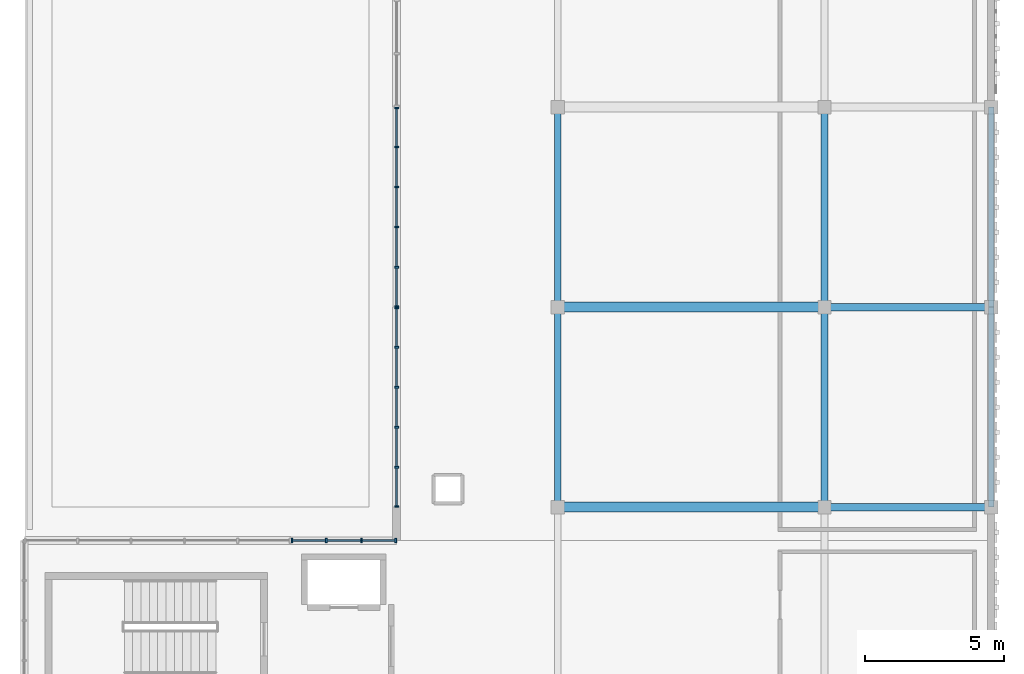
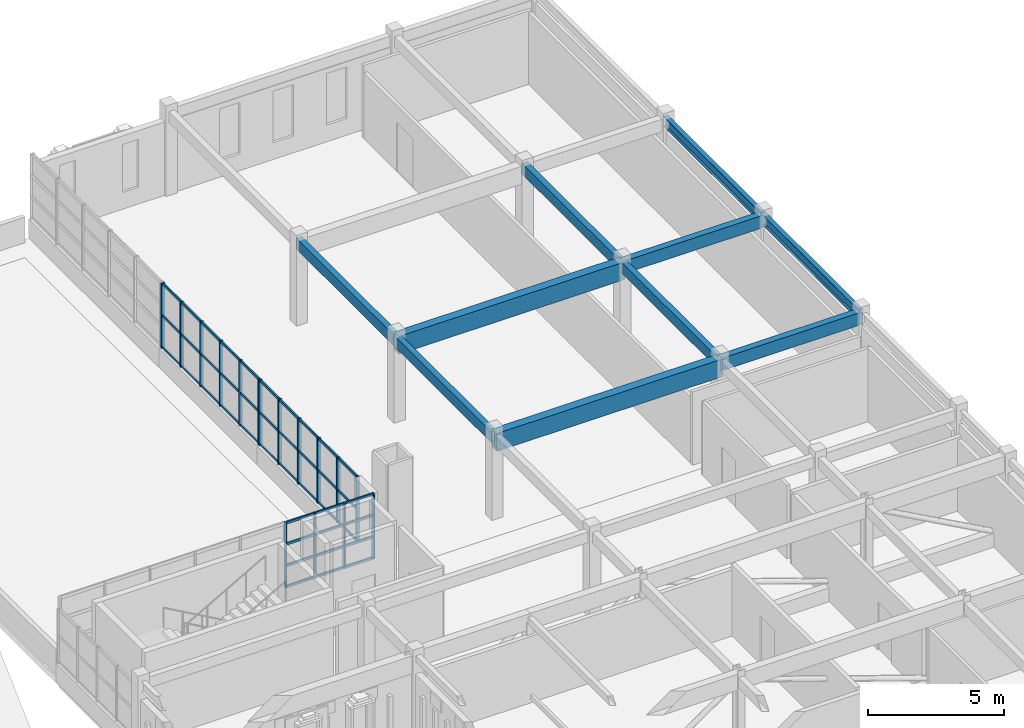
# One storey, part 30 of 79: 58 members, 10 beams, 3 elements without a shape of their own.
"""IFC4 building model written with IfcOpenShell, lengths in metres."""

import ifcopenshell
import ifcopenshell.guid

model = None  # the IFC model being written
_history = None  # IfcOwnerHistory: only IFC2X3 demands one
_inside = {}  # id of a spatial element -> (the spatial element, [elements in it])
_under = {}  # id of a project, library or spatial element -> (it, [spatial elements below it])
_declared = {}  # id of a project -> (the project, [libraries it declares])
_typed = {}  # id of a type object -> (the type object, [elements of that type])
_made_of = {}  # id of a material, layer set ... -> (it, [elements and type objects made of it])


def new_model(schema):
    """Start an empty IFC model of exactly this schema.

    Asked for "IFC4X3", IfcOpenShell would pick the latest addendum, in which some entities
    have other attributes; the version numbers below select the first issue.
    IFC2X3 requires an IfcOwnerHistory on every rooted entity: one is made here for all.
    """
    global model, _history
    if schema == "IFC4X3":
        model = ifcopenshell.file(schema_version=(4, 3, 0, 0))
    else:
        model = ifcopenshell.file(schema=schema)
    _inside.clear()
    _under.clear()
    _declared.clear()
    _typed.clear()
    _made_of.clear()
    _history = None
    if model.schema == "IFC2X3":
        org = make("IfcOrganization", Name="unknown")
        user = make(
            "IfcPersonAndOrganization",
            ThePerson=make("IfcPerson", FamilyName="unknown"),
            TheOrganization=org,
        )
        app = make(
            "IfcApplication",
            ApplicationDeveloper=org,
            Version="unknown",
            ApplicationFullName="unknown",
            ApplicationIdentifier="unknown",
        )
        _history = make(
            "IfcOwnerHistory",
            OwningUser=user,
            OwningApplication=app,
            ChangeAction="ADDED",
            CreationDate=0,
        )
    return model


def make(cls, **values):
    """One entity of the class cls with the attributes given. An attribute that is None is left unset."""
    return model.create_entity(
        cls, **{name: value for name, value in values.items() if value is not None}
    )


def rooted(cls, **values):
    """An entity with a GlobalId (a new one), such as an element, a storey or a relation."""
    return make(cls, GlobalId=ifcopenshell.guid.new(), OwnerHistory=_history, **values)


def si_unit(unit_type, name, prefix=None):
    """IfcSIUnit, for example si_unit("LENGTHUNIT", "METRE", prefix="MILLI")."""
    return make("IfcSIUnit", UnitType=unit_type, Prefix=prefix, Name=name)


def assignment(units):
    """IfcUnitAssignment: the units of a project."""
    return None if units is None else make("IfcUnitAssignment", Units=units)


def point(xyz):
    """IfcCartesianPoint."""
    return None if xyz is None else make("IfcCartesianPoint", Coordinates=xyz)


def direction(xyz):
    """IfcDirection."""
    return None if xyz is None else make("IfcDirection", DirectionRatios=xyz)


def frame(location, z_axis=None, x_axis=None):
    """IfcAxis2Placement3D, a coordinate frame: its origin and axes. An axis left out is left unset."""
    return make(
        "IfcAxis2Placement3D",
        Location=point(location),
        Axis=direction(z_axis),
        RefDirection=direction(x_axis),
    )


def frame_2d(location, x_axis=None):
    """IfcAxis2Placement2D, a coordinate frame in the plane: its origin and x axis."""
    return make(
        "IfcAxis2Placement2D", Location=point(location), RefDirection=direction(x_axis)
    )


def origin():
    """The frame at (0, 0, 0) with its axes left unset."""
    return frame((0.0, 0.0, 0.0))


def origin_2d():
    """The frame at (0, 0) in the plane with its x axis left unset."""
    return frame_2d((0.0, 0.0))


def place(relative_to, where):
    """IfcLocalPlacement: puts the frame where relative to a parent placement (None: the world)."""
    return make(
        "IfcLocalPlacement", PlacementRelTo=relative_to, RelativePlacement=where
    )


def context(
    kind, dimensions, precision=None, world=None, true_north=None, identifier=None
):
    """IfcGeometricRepresentationContext, for example the 3D "Model" context."""
    return make(
        "IfcGeometricRepresentationContext",
        ContextIdentifier=identifier,
        ContextType=kind,
        CoordinateSpaceDimension=dimensions,
        Precision=precision,
        WorldCoordinateSystem=world,
        TrueNorth=true_north,
    )


def subcontext(parent, identifier, kind, view, scale=None):
    """IfcGeometricRepresentationSubContext, for example "Body" below "Model"."""
    return make(
        "IfcGeometricRepresentationSubContext",
        ContextIdentifier=identifier,
        ContextType=kind,
        ParentContext=parent,
        TargetScale=scale,
        TargetView=view,
    )


def project(units=None, contexts=None):
    """IfcProject with its units and contexts."""
    return rooted(
        "IfcProject",
        Name="project",
        RepresentationContexts=contexts,
        UnitsInContext=assignment(units),
    )


def spatial(cls, under=None, at=None, **own):
    """A site, building, storey or space (cls), placed at a placement, below another one or the project."""
    s = rooted(cls, ObjectPlacement=at, **own)
    if under is not None:
        _under.setdefault(under.id(), (under, []))[1].append(s)
    return s


def profile(cls, at=None, kind="AREA", **sizes):
    """A parametric profile (cls). Its sizes go by their IFC names, for example OverallWidth=200.0."""
    return make(cls, ProfileType=kind, Position=at, **sizes)


def rectangle(**sizes):
    """IfcRectangleProfileDef."""
    return profile("IfcRectangleProfileDef", **sizes)


def i_section(**sizes):
    """IfcIShapeProfileDef."""
    return profile("IfcIShapeProfileDef", **sizes)


def extrude(swept, where, along, depth):
    """IfcExtrudedAreaSolid: the profile swept, set in the frame where, extruded along a direction by depth."""
    return make(
        "IfcExtrudedAreaSolid",
        SweptArea=swept,
        Position=where,
        ExtrudedDirection=direction(along),
        Depth=depth,
    )


def shape(context_of_items, identifier, shape_type, items):
    """IfcShapeRepresentation: the items that make up one representation, for example the "Body"."""
    return make(
        "IfcShapeRepresentation",
        ContextOfItems=context_of_items,
        RepresentationIdentifier=identifier,
        RepresentationType=shape_type,
        Items=items,
    )


def material(Name=None, Category=None):
    """IfcMaterial."""
    return make("IfcMaterial", Name=Name, Category=Category)


def material_profile(
    of_material, cross_section, Name=None, Category=None, Priority=None
):
    """IfcMaterialProfile: a cross section and its material."""
    return make(
        "IfcMaterialProfile",
        Name=Name,
        Material=of_material,
        Profile=cross_section,
        Priority=Priority,
        Category=Category,
    )


def profile_set(profiles, Name=None, composite=None):
    """IfcMaterialProfileSet."""
    return make(
        "IfcMaterialProfileSet",
        Name=Name,
        MaterialProfiles=profiles,
        CompositeProfile=composite,
    )


def made_of(thing, what):
    """Note that an element or type object is made of a material, layer set ...; save() writes the relation."""
    if what is not None:
        _made_of.setdefault(what.id(), (what, []))[1].append(thing)
    return thing


def type_object(cls, material=None, **own):
    """A type object (cls), such as IfcWallType, which elements share."""
    return made_of(rooted(cls, **own), material)


def element(
    cls,
    number,
    at=None,
    inside=None,
    cuts=None,
    type_object=None,
    material=None,
    context=None,
    identifier="Body",
    shape_type=None,
    held_by="IfcProductDefinitionShape",
    body=None,
    shapes=None,
    **own,
):
    """One element of the class cls, such as IfcWall. Its Tag is "e" and its number.

    at: its placement. inside: the storey or other place that contains it. cuts: it is an
    opening in that element (IfcRelVoidsElement). A single representation is given by context,
    identifier, shape_type and body (its items); several are given by shapes. held_by: the class
    of the entity that holds the representations. save() writes the other relations.
    """
    e = rooted(cls, Tag="e%d" % number, ObjectPlacement=at, **own)
    if body is not None:
        shapes = [shape(context, identifier, shape_type, body)]
    if shapes is not None:
        e.Representation = make(held_by, Representations=shapes)
    if inside is not None:
        _inside.setdefault(inside.id(), (inside, []))[1].append(e)
    if cuts is not None:
        rooted(
            "IfcRelVoidsElement", RelatingBuildingElement=cuts, RelatedOpeningElement=e
        )
    if type_object is not None:
        _typed.setdefault(type_object.id(), (type_object, []))[1].append(e)
    return made_of(e, material)


def aggregate(whole, parts):
    """IfcRelAggregates: a whole, such as a stair, and the parts it consists of."""
    return rooted("IfcRelAggregates", RelatingObject=whole, RelatedObjects=parts)


def save(model, path):
    """Write the relations noted so far, then the file.

    IfcRelAggregates (storeys below a building ...), IfcRelContainedInSpatialStructure (elements
    in a storey), IfcRelDefinesByType, IfcRelAssociatesMaterial and IfcRelDeclares: one each for
    every whole, place, type object, material and project.
    """
    for whole, parts in _under.values():
        aggregate(whole, parts)
    for where, things in _inside.values():
        rooted(
            "IfcRelContainedInSpatialStructure",
            RelatedElements=things,
            RelatingStructure=where,
        )
    for kind, things in _typed.values():
        rooted("IfcRelDefinesByType", RelatedObjects=things, RelatingType=kind)
    for what, things in _made_of.values():
        rooted("IfcRelAssociatesMaterial", RelatedObjects=things, RelatingMaterial=what)
    for by, libraries in _declared.values():
        rooted("IfcRelDeclares", RelatingContext=by, RelatedDefinitions=libraries)
    model.write(path)


model = new_model("IFC4")

# Units and contexts
model_context = context("Model", 3, precision=1e-05, world=origin(), true_north=direction((0.0, 1.0)))
body_context = subcontext(model_context, "Body", "Model", "MODEL_VIEW")
ifc_project = project(units=[si_unit("LENGTHUNIT", "METRE"), si_unit("AREAUNIT", "SQUARE_METRE"), si_unit("VOLUMEUNIT", "CUBIC_METRE"), si_unit("PLANEANGLEUNIT", "RADIAN"), si_unit("MASSUNIT", "GRAM", prefix="KILO")], contexts=[model_context])

# Site, building, storey
site_placement = place(None, origin())
site = spatial("IfcSite", under=ifc_project, at=site_placement, CompositionType="ELEMENT")
building_placement = place(site_placement, origin())
building = spatial("IfcBuilding", under=site, at=building_placement, Name="Nzembalo Square Collegiate School", CompositionType="ELEMENT")
storey_placement = place(building_placement, frame((0.0, 0.0, 9.52001953125)))
storey = spatial("IfcBuildingStorey", under=building, at=storey_placement, Name="L02", CompositionType="ELEMENT", Elevation=9.52001953125)

# Beams
ifc_material_1 = material(Name="Glulam GL28h", Category="wood")
ifc_material_profile_1 = material_profile(ifc_material_1, rectangle(XDim=0.280029296875, YDim=0.56005859375, at=origin_2d()), Name="GL28h 280x560")
ifc_profile_set_1 = profile_set([ifc_material_profile_1], Name="Glulam GL28h")
beam_type_1 = type_object("IfcBeamType", Name="B05", PredefinedType="BEAM", material=ifc_profile_set_1)
for number, where, z_axis, x_axis, name in (
    (1, (159.60009765625, 90.0, 3.5048828125), (1.0, 0.0, 0.0), (0.0, 1.0, 0.0), "Beam B05 L02"),
    (2, (159.60009765625, 97.199951171875, 3.5048828125), (1.0, 0.0, 0.0), (0.0, 1.0, 0.0), "Beam B05 L02"),
):
    element("IfcBeam", number, at=place(storey_placement, frame(where, z_axis=z_axis, x_axis=x_axis)), inside=storey, type_object=beam_type_1, Name=name, PredefinedType="BEAM", context=body_context, shape_type="SweptSolid", body=[
        extrude(rectangle(XDim=0.280029296875, YDim=0.56005859375, at=origin_2d()), origin(), (0.0, 0.0, 1.0), 6.0),
    ])
ifc_material_2 = material(Name="Glulam GL28h", Category="wood")
ifc_material_profile_2 = material_profile(ifc_material_2, rectangle(XDim=0.239990234375, YDim=0.47998046875, at=origin_2d()), Name="GL28h 240x480")
ifc_profile_set_2 = profile_set([ifc_material_profile_2], Name="Glulam GL28h")
beam_type_2 = type_object("IfcBeamType", Name="B06", PredefinedType="BEAM", material=ifc_profile_set_2)
for number, where, z_axis, x_axis, name in (
    (3, (150.0, 90.0, 3.544921875), (0.0, 1.0, 0.0), (-1.0, 0.0, 0.0), "Beam B06 L02"),
    (4, (150.0, 97.199951171875, 3.544921875), (0.0, 1.0, 0.0), (-1.0, 0.0, 0.0), "Beam B06 L02"),
    (5, (159.60009765625, 90.0, 3.544921875), (0.0, 1.0, 0.0), (-1.0, 0.0, 0.0), "Beam B06 L02"),
    (6, (159.60009765625, 97.199951171875, 3.544921875), (0.0, 1.0, 0.0), (-1.0, 0.0, 0.0), "Beam B06 L02"),
):
    element("IfcBeam", number, at=place(storey_placement, frame(where, z_axis=z_axis, x_axis=x_axis)), inside=storey, type_object=beam_type_2, Name=name, PredefinedType="BEAM", context=body_context, shape_type="SweptSolid", body=[
        extrude(rectangle(XDim=0.239990234375, YDim=0.47998046875, at=origin_2d()), origin(), (0.0, 0.0, 1.0), 7.199951171875),
    ])
ifc_material_3 = material(Name="Steel S355", Category="steel")
ifc_material_profile_3 = material_profile(ifc_material_3, i_section(OverallWidth=0.18994140625, OverallDepth=0.449951171875, WebThickness=0.009521484375, FlangeThickness=0.0146484375, at=origin_2d()), Name="IPE 450")
ifc_profile_set_3 = profile_set([ifc_material_profile_3], Name="Steel S355")
beam_type_3 = type_object("IfcBeamType", Name="B09", PredefinedType="BEAM", material=ifc_profile_set_3)
for number, where, z_axis, x_axis, name in (
    (7, (165.60009765625, 90.0, 3.56005859375), (0.0, 1.0, 0.0), (-1.0, 0.0, 0.0), "Beam B09 L02"),
    (8, (165.60009765625, 97.199951171875, 3.56005859375), (0.0, 1.0, 0.0), (-1.0, 0.0, 0.0), "Beam B09 L02"),
):
    element("IfcBeam", number, at=place(storey_placement, frame(where, z_axis=z_axis, x_axis=x_axis)), inside=storey, type_object=beam_type_3, Name=name, PredefinedType="BEAM", context=body_context, shape_type="SweptSolid", body=[
        extrude(i_section(OverallWidth=0.18994140625, OverallDepth=0.449951171875, WebThickness=0.009521484375, FlangeThickness=0.0146484375, at=origin_2d()), origin(), (0.0, 0.0, 1.0), 7.199951171875),
    ])
ifc_material_4 = material(Name="Glulam GL32h", Category="wood")
ifc_material_profile_4 = material_profile(ifc_material_4, rectangle(XDim=0.360107421875, YDim=0.800048828125, at=origin_2d()), Name="GL32h 360x800")
ifc_profile_set_4 = profile_set([ifc_material_profile_4], Name="Glulam GL32h")
beam_type_4 = type_object("IfcBeamType", Name="B13", PredefinedType="BEAM", material=ifc_profile_set_4)
for number, where, z_axis, x_axis, name in (
    (9, (150.0, 90.0, 3.385009765625), (1.0, 0.0, 0.0), (0.0, 1.0, 0.0), "Beam B13 L02"),
    (10, (150.0, 97.199951171875, 3.385009765625), (1.0, 0.0, 0.0), (0.0, 1.0, 0.0), "Beam B13 L02"),
):
    element("IfcBeam", number, at=place(storey_placement, frame(where, z_axis=z_axis, x_axis=x_axis)), inside=storey, type_object=beam_type_4, Name=name, PredefinedType="BEAM", context=body_context, shape_type="SweptSolid", body=[
        extrude(rectangle(XDim=0.360107421875, YDim=0.800048828125, at=origin_2d()), origin(), (0.0, 0.0, 1.0), 9.60009765625),
    ])

# Curtain wall, members
ifc_material_5 = material(Name="Aluminium 6060-T66", Category="aluminium")
curtain_wall_type_1 = type_object("IfcCurtainWallType", Name="CW-14", PredefinedType="USERDEFINED", material=ifc_material_5)
curtain_wall_1_placement = place(storey_placement, origin())
curtain_wall_1 = element("IfcCurtainWall", 11, at=curtain_wall_1_placement, inside=storey, type_object=curtain_wall_type_1, Name="Curtain wall CW-14 cw:L02:101", ObjectType="UNITISED", PredefinedType="USERDEFINED")
ifc_material_6 = material(Name="Aluminium 6060-T66", Category="aluminium")
ifc_material_profile_5 = material_profile(ifc_material_6, rectangle(XDim=0.06005859375, YDim=0.14990234375, at=origin_2d()), Name="ALU M60x150")
ifc_profile_set_5 = profile_set([ifc_material_profile_5], Name="Aluminium 6060-T66")
member_type_1 = type_object("IfcMemberType", Name="ML02", PredefinedType="MULLION", material=ifc_profile_set_5)
member_1_placement = place(storey_placement, frame((140.429931640625, 88.800048828125, 0.85009765625), z_axis=(0.0, 0.0, 1.0), x_axis=(1.0, 0.0, 0.0)))
member_1 = element("IfcMember", 12, at=member_1_placement, type_object=member_type_1, Name="ML02 mullion 1", PredefinedType="MULLION", context=body_context, shape_type="SweptSolid", body=[
    extrude(rectangle(XDim=0.06005859375, YDim=0.14990234375, at=origin_2d()), origin(), (0.0, 0.0, 1.0), 2.923828125),
])
member_2_placement = place(storey_placement, frame((141.666748046875, 88.800048828125, 0.85009765625), z_axis=(0.0, 0.0, 1.0), x_axis=(1.0, 0.0, 0.0)))
member_2 = element("IfcMember", 13, at=member_2_placement, type_object=member_type_1, Name="ML02 mullion 2", PredefinedType="MULLION", context=body_context, shape_type="SweptSolid", body=[
    extrude(rectangle(XDim=0.06005859375, YDim=0.14990234375, at=origin_2d()), origin(), (0.0, 0.0, 1.0), 2.923828125),
])
member_3_placement = place(storey_placement, frame((142.933349609375, 88.800048828125, 0.85009765625), z_axis=(0.0, 0.0, 1.0), x_axis=(1.0, 0.0, 0.0)))
member_3 = element("IfcMember", 14, at=member_3_placement, type_object=member_type_1, Name="ML02 mullion 3", PredefinedType="MULLION", context=body_context, shape_type="SweptSolid", body=[
    extrude(rectangle(XDim=0.06005859375, YDim=0.14990234375, at=origin_2d()), origin(), (0.0, 0.0, 1.0), 2.923828125),
])
member_4_placement = place(storey_placement, frame((144.169921875, 88.800048828125, 0.85009765625), z_axis=(0.0, 0.0, 1.0), x_axis=(1.0, 0.0, 0.0)))
member_4 = element("IfcMember", 15, at=member_4_placement, type_object=member_type_1, Name="ML02 mullion 4", PredefinedType="MULLION", context=body_context, shape_type="SweptSolid", body=[
    extrude(rectangle(XDim=0.06005859375, YDim=0.14990234375, at=origin_2d()), origin(), (0.0, 0.0, 1.0), 2.923828125),
])

ifc_material_7 = material(Name="Aluminium 6060-T66", Category="aluminium")
curtain_wall_type_2 = type_object("IfcCurtainWallType", Name="CW-11", PredefinedType="USERDEFINED", material=ifc_material_7)
curtain_wall_2_placement = place(storey_placement, origin())
curtain_wall_2 = element("IfcCurtainWall", 16, at=curtain_wall_2_placement, inside=storey, type_object=curtain_wall_type_2, Name="Curtain wall CW-11 cw:L02:102", ObjectType="LANCET", PredefinedType="USERDEFINED")
member_5_placement = place(storey_placement, frame((144.199951171875, 90.030029296875, 0.85009765625), z_axis=(0.0, 0.0, 1.0), x_axis=(0.0, 1.0, 0.0)))
member_5 = element("IfcMember", 17, at=member_5_placement, type_object=member_type_1, Name="ML02 mullion 1", PredefinedType="MULLION", context=body_context, shape_type="SweptSolid", body=[
    extrude(rectangle(XDim=0.06005859375, YDim=0.14990234375, at=origin_2d()), origin(), (0.0, 0.0, 1.0), 2.923828125),
])
member_6_placement = place(storey_placement, frame((144.199951171875, 91.43994140625, 0.85009765625), z_axis=(0.0, 0.0, 1.0), x_axis=(0.0, 1.0, 0.0)))
member_6 = element("IfcMember", 18, at=member_6_placement, type_object=member_type_1, Name="ML02 mullion 2", PredefinedType="MULLION", context=body_context, shape_type="SweptSolid", body=[
    extrude(rectangle(XDim=0.06005859375, YDim=0.14990234375, at=origin_2d()), origin(), (0.0, 0.0, 1.0), 2.923828125),
])
member_7_placement = place(storey_placement, frame((144.199951171875, 92.8798828125, 0.85009765625), z_axis=(0.0, 0.0, 1.0), x_axis=(0.0, 1.0, 0.0)))
member_7 = element("IfcMember", 19, at=member_7_placement, type_object=member_type_1, Name="ML02 mullion 3", PredefinedType="MULLION", context=body_context, shape_type="SweptSolid", body=[
    extrude(rectangle(XDim=0.06005859375, YDim=0.14990234375, at=origin_2d()), origin(), (0.0, 0.0, 1.0), 2.923828125),
])
member_8_placement = place(storey_placement, frame((144.199951171875, 94.320068359375, 0.85009765625), z_axis=(0.0, 0.0, 1.0), x_axis=(0.0, 1.0, 0.0)))
member_8 = element("IfcMember", 20, at=member_8_placement, type_object=member_type_1, Name="ML02 mullion 4", PredefinedType="MULLION", context=body_context, shape_type="SweptSolid", body=[
    extrude(rectangle(XDim=0.06005859375, YDim=0.14990234375, at=origin_2d()), origin(), (0.0, 0.0, 1.0), 2.923828125),
])
member_9_placement = place(storey_placement, frame((144.199951171875, 95.760009765625, 0.85009765625), z_axis=(0.0, 0.0, 1.0), x_axis=(0.0, 1.0, 0.0)))
member_9 = element("IfcMember", 21, at=member_9_placement, type_object=member_type_1, Name="ML02 mullion 5", PredefinedType="MULLION", context=body_context, shape_type="SweptSolid", body=[
    extrude(rectangle(XDim=0.06005859375, YDim=0.14990234375, at=origin_2d()), origin(), (0.0, 0.0, 1.0), 2.923828125),
])
member_10_placement = place(storey_placement, frame((144.199951171875, 97.169921875, 0.85009765625), z_axis=(0.0, 0.0, 1.0), x_axis=(0.0, 1.0, 0.0)))
member_10 = element("IfcMember", 22, at=member_10_placement, type_object=member_type_1, Name="ML02 mullion 6", PredefinedType="MULLION", context=body_context, shape_type="SweptSolid", body=[
    extrude(rectangle(XDim=0.06005859375, YDim=0.14990234375, at=origin_2d()), origin(), (0.0, 0.0, 1.0), 2.923828125),
])

ifc_material_8 = material(Name="Aluminium 6060-T66", Category="aluminium")
curtain_wall_type_3 = type_object("IfcCurtainWallType", Name="CW-12", PredefinedType="USERDEFINED", material=ifc_material_8)
curtain_wall_3_placement = place(storey_placement, origin())
curtain_wall_3 = element("IfcCurtainWall", 23, at=curtain_wall_3_placement, inside=storey, type_object=curtain_wall_type_3, Name="Curtain wall CW-12 cw:L02:103", ObjectType="LANCET", PredefinedType="USERDEFINED")
member_11_placement = place(storey_placement, frame((144.199951171875, 97.22998046875, 0.85009765625), z_axis=(0.0, 0.0, 1.0), x_axis=(0.0, 1.0, 0.0)))
member_11 = element("IfcMember", 24, at=member_11_placement, type_object=member_type_1, Name="ML02 mullion 1", PredefinedType="MULLION", context=body_context, shape_type="SweptSolid", body=[
    extrude(rectangle(XDim=0.06005859375, YDim=0.14990234375, at=origin_2d()), origin(), (0.0, 0.0, 1.0), 2.923828125),
])
member_12_placement = place(storey_placement, frame((144.199951171875, 98.639892578125, 0.85009765625), z_axis=(0.0, 0.0, 1.0), x_axis=(0.0, 1.0, 0.0)))
member_12 = element("IfcMember", 25, at=member_12_placement, type_object=member_type_1, Name="ML02 mullion 2", PredefinedType="MULLION", context=body_context, shape_type="SweptSolid", body=[
    extrude(rectangle(XDim=0.06005859375, YDim=0.14990234375, at=origin_2d()), origin(), (0.0, 0.0, 1.0), 2.923828125),
])
member_13_placement = place(storey_placement, frame((144.199951171875, 100.080078125, 0.85009765625), z_axis=(0.0, 0.0, 1.0), x_axis=(0.0, 1.0, 0.0)))
member_13 = element("IfcMember", 26, at=member_13_placement, type_object=member_type_1, Name="ML02 mullion 3", PredefinedType="MULLION", context=body_context, shape_type="SweptSolid", body=[
    extrude(rectangle(XDim=0.06005859375, YDim=0.14990234375, at=origin_2d()), origin(), (0.0, 0.0, 1.0), 2.923828125),
])
member_14_placement = place(storey_placement, frame((144.199951171875, 101.52001953125, 0.85009765625), z_axis=(0.0, 0.0, 1.0), x_axis=(0.0, 1.0, 0.0)))
member_14 = element("IfcMember", 27, at=member_14_placement, type_object=member_type_1, Name="ML02 mullion 4", PredefinedType="MULLION", context=body_context, shape_type="SweptSolid", body=[
    extrude(rectangle(XDim=0.06005859375, YDim=0.14990234375, at=origin_2d()), origin(), (0.0, 0.0, 1.0), 2.923828125),
])
member_15_placement = place(storey_placement, frame((144.199951171875, 102.9599609375, 0.85009765625), z_axis=(0.0, 0.0, 1.0), x_axis=(0.0, 1.0, 0.0)))
member_15 = element("IfcMember", 28, at=member_15_placement, type_object=member_type_1, Name="ML02 mullion 5", PredefinedType="MULLION", context=body_context, shape_type="SweptSolid", body=[
    extrude(rectangle(XDim=0.06005859375, YDim=0.14990234375, at=origin_2d()), origin(), (0.0, 0.0, 1.0), 2.923828125),
])
member_16_placement = place(storey_placement, frame((144.199951171875, 104.3701171875, 0.85009765625), z_axis=(0.0, 0.0, 1.0), x_axis=(0.0, 1.0, 0.0)))
member_16 = element("IfcMember", 29, at=member_16_placement, type_object=member_type_1, Name="ML02 mullion 6", PredefinedType="MULLION", context=body_context, shape_type="SweptSolid", body=[
    extrude(rectangle(XDim=0.06005859375, YDim=0.14990234375, at=origin_2d()), origin(), (0.0, 0.0, 1.0), 2.923828125),
])

# Member
ifc_material_9 = material(Name="Aluminium 6060-T66", Category="aluminium")
ifc_material_profile_6 = material_profile(ifc_material_9, rectangle(XDim=0.06005859375, YDim=0.110107421875, at=origin_2d()), Name="ALU T60x110")
ifc_profile_set_6 = profile_set([ifc_material_profile_6], Name="Aluminium 6060-T66")
member_type_2 = type_object("IfcMemberType", Name="TR02", PredefinedType="USERDEFINED", material=ifc_profile_set_6)
member_17_placement = place(storey_placement, frame((140.4599609375, 88.800048828125, 0.8798828125), z_axis=(1.0, 0.0, 0.0), x_axis=(0.0, 1.0, 0.0)))
member_17 = element("IfcMember", 30, at=member_17_placement, type_object=member_type_2, Name="TR02 transom 1-1", ObjectType="TRANSOM", PredefinedType="USERDEFINED", context=body_context, shape_type="SweptSolid", body=[
    extrude(rectangle(XDim=0.06005859375, YDim=0.110107421875, at=origin_2d()), origin(), (0.0, 0.0, 1.0), 1.1767578125),
])

member_18_placement = place(storey_placement, frame((141.69677734375, 88.800048828125, 0.8798828125), z_axis=(1.0, 0.0, 0.0), x_axis=(0.0, 1.0, 0.0)))
member_18 = element("IfcMember", 31, at=member_18_placement, type_object=member_type_2, Name="TR02 transom 1-2", ObjectType="TRANSOM", PredefinedType="USERDEFINED", context=body_context, shape_type="SweptSolid", body=[
    extrude(rectangle(XDim=0.06005859375, YDim=0.110107421875, at=origin_2d()), origin(), (0.0, 0.0, 1.0), 1.20654296875),
])

member_19_placement = place(storey_placement, frame((142.96337890625, 88.800048828125, 0.8798828125), z_axis=(1.0, 0.0, 0.0), x_axis=(0.0, 1.0, 0.0)))
member_19 = element("IfcMember", 32, at=member_19_placement, type_object=member_type_2, Name="TR02 transom 1-3", ObjectType="TRANSOM", PredefinedType="USERDEFINED", context=body_context, shape_type="SweptSolid", body=[
    extrude(rectangle(XDim=0.06005859375, YDim=0.110107421875, at=origin_2d()), origin(), (0.0, 0.0, 1.0), 1.176513671875),
])

member_20_placement = place(storey_placement, frame((140.4599609375, 88.800048828125, 1.82470703125), z_axis=(1.0, 0.0, 0.0), x_axis=(0.0, 1.0, 0.0)))
member_20 = element("IfcMember", 33, at=member_20_placement, type_object=member_type_2, Name="TR02 transom 2-1", ObjectType="TRANSOM", PredefinedType="USERDEFINED", context=body_context, shape_type="SweptSolid", body=[
    extrude(rectangle(XDim=0.06005859375, YDim=0.110107421875, at=origin_2d()), origin(), (0.0, 0.0, 1.0), 1.1767578125),
])

member_21_placement = place(storey_placement, frame((141.69677734375, 88.800048828125, 1.82470703125), z_axis=(1.0, 0.0, 0.0), x_axis=(0.0, 1.0, 0.0)))
member_21 = element("IfcMember", 34, at=member_21_placement, type_object=member_type_2, Name="TR02 transom 2-2", ObjectType="TRANSOM", PredefinedType="USERDEFINED", context=body_context, shape_type="SweptSolid", body=[
    extrude(rectangle(XDim=0.06005859375, YDim=0.110107421875, at=origin_2d()), origin(), (0.0, 0.0, 1.0), 1.20654296875),
])

member_22_placement = place(storey_placement, frame((142.96337890625, 88.800048828125, 1.82470703125), z_axis=(1.0, 0.0, 0.0), x_axis=(0.0, 1.0, 0.0)))
member_22 = element("IfcMember", 35, at=member_22_placement, type_object=member_type_2, Name="TR02 transom 2-3", ObjectType="TRANSOM", PredefinedType="USERDEFINED", context=body_context, shape_type="SweptSolid", body=[
    extrude(rectangle(XDim=0.06005859375, YDim=0.110107421875, at=origin_2d()), origin(), (0.0, 0.0, 1.0), 1.176513671875),
])

member_23_placement = place(storey_placement, frame((140.4599609375, 88.800048828125, 2.79931640625), z_axis=(1.0, 0.0, 0.0), x_axis=(0.0, 1.0, 0.0)))
member_23 = element("IfcMember", 36, at=member_23_placement, type_object=member_type_2, Name="TR02 transom 3-1", ObjectType="TRANSOM", PredefinedType="USERDEFINED", context=body_context, shape_type="SweptSolid", body=[
    extrude(rectangle(XDim=0.06005859375, YDim=0.110107421875, at=origin_2d()), origin(), (0.0, 0.0, 1.0), 1.1767578125),
])

member_24_placement = place(storey_placement, frame((141.69677734375, 88.800048828125, 2.79931640625), z_axis=(1.0, 0.0, 0.0), x_axis=(0.0, 1.0, 0.0)))
member_24 = element("IfcMember", 37, at=member_24_placement, type_object=member_type_2, Name="TR02 transom 3-2", ObjectType="TRANSOM", PredefinedType="USERDEFINED", context=body_context, shape_type="SweptSolid", body=[
    extrude(rectangle(XDim=0.06005859375, YDim=0.110107421875, at=origin_2d()), origin(), (0.0, 0.0, 1.0), 1.20654296875),
])

member_25_placement = place(storey_placement, frame((142.96337890625, 88.800048828125, 2.79931640625), z_axis=(1.0, 0.0, 0.0), x_axis=(0.0, 1.0, 0.0)))
member_25 = element("IfcMember", 38, at=member_25_placement, type_object=member_type_2, Name="TR02 transom 3-3", ObjectType="TRANSOM", PredefinedType="USERDEFINED", context=body_context, shape_type="SweptSolid", body=[
    extrude(rectangle(XDim=0.06005859375, YDim=0.110107421875, at=origin_2d()), origin(), (0.0, 0.0, 1.0), 1.176513671875),
])

member_26_placement = place(storey_placement, frame((140.4599609375, 88.800048828125, 3.743896484375), z_axis=(1.0, 0.0, 0.0), x_axis=(0.0, 1.0, 0.0)))
member_26 = element("IfcMember", 39, at=member_26_placement, type_object=member_type_2, Name="TR02 transom 4-1", ObjectType="TRANSOM", PredefinedType="USERDEFINED", context=body_context, shape_type="SweptSolid", body=[
    extrude(rectangle(XDim=0.06005859375, YDim=0.110107421875, at=origin_2d()), origin(), (0.0, 0.0, 1.0), 1.1767578125),
])

member_27_placement = place(storey_placement, frame((141.69677734375, 88.800048828125, 3.743896484375), z_axis=(1.0, 0.0, 0.0), x_axis=(0.0, 1.0, 0.0)))
member_27 = element("IfcMember", 40, at=member_27_placement, type_object=member_type_2, Name="TR02 transom 4-2", ObjectType="TRANSOM", PredefinedType="USERDEFINED", context=body_context, shape_type="SweptSolid", body=[
    extrude(rectangle(XDim=0.06005859375, YDim=0.110107421875, at=origin_2d()), origin(), (0.0, 0.0, 1.0), 1.20654296875),
])

member_28_placement = place(storey_placement, frame((142.96337890625, 88.800048828125, 3.743896484375), z_axis=(1.0, 0.0, 0.0), x_axis=(0.0, 1.0, 0.0)))
member_28 = element("IfcMember", 41, at=member_28_placement, type_object=member_type_2, Name="TR02 transom 4-3", ObjectType="TRANSOM", PredefinedType="USERDEFINED", context=body_context, shape_type="SweptSolid", body=[
    extrude(rectangle(XDim=0.06005859375, YDim=0.110107421875, at=origin_2d()), origin(), (0.0, 0.0, 1.0), 1.176513671875),
])

aggregate(curtain_wall_1, [member_1, member_2, member_3, member_4, member_17, member_18, member_19, member_20, member_21, member_22, member_23, member_24, member_25, member_26, member_27, member_28])

member_29_placement = place(storey_placement, frame((144.199951171875, 90.06005859375, 0.8798828125), z_axis=(0.0, 1.0, 0.0), x_axis=(-1.0, 0.0, 0.0)))
member_29 = element("IfcMember", 42, at=member_29_placement, type_object=member_type_2, Name="TR02 transom 1-1", ObjectType="TRANSOM", PredefinedType="USERDEFINED", context=body_context, shape_type="SweptSolid", body=[
    extrude(rectangle(XDim=0.06005859375, YDim=0.110107421875, at=origin_2d()), origin(), (0.0, 0.0, 1.0), 1.349853515625),
])

member_30_placement = place(storey_placement, frame((144.199951171875, 91.469970703125, 0.8798828125), z_axis=(0.0, 1.0, 0.0), x_axis=(-1.0, 0.0, 0.0)))
member_30 = element("IfcMember", 43, at=member_30_placement, type_object=member_type_2, Name="TR02 transom 1-2", ObjectType="TRANSOM", PredefinedType="USERDEFINED", context=body_context, shape_type="SweptSolid", body=[
    extrude(rectangle(XDim=0.06005859375, YDim=0.110107421875, at=origin_2d()), origin(), (0.0, 0.0, 1.0), 1.380126953125),
])

member_31_placement = place(storey_placement, frame((144.199951171875, 92.909912109375, 0.8798828125), z_axis=(0.0, 1.0, 0.0), x_axis=(-1.0, 0.0, 0.0)))
member_31 = element("IfcMember", 44, at=member_31_placement, type_object=member_type_2, Name="TR02 transom 1-3", ObjectType="TRANSOM", PredefinedType="USERDEFINED", context=body_context, shape_type="SweptSolid", body=[
    extrude(rectangle(XDim=0.06005859375, YDim=0.110107421875, at=origin_2d()), origin(), (0.0, 0.0, 1.0), 1.380126953125),
])

member_32_placement = place(storey_placement, frame((144.199951171875, 94.35009765625, 0.8798828125), z_axis=(0.0, 1.0, 0.0), x_axis=(-1.0, 0.0, 0.0)))
member_32 = element("IfcMember", 45, at=member_32_placement, type_object=member_type_2, Name="TR02 transom 1-4", ObjectType="TRANSOM", PredefinedType="USERDEFINED", context=body_context, shape_type="SweptSolid", body=[
    extrude(rectangle(XDim=0.06005859375, YDim=0.110107421875, at=origin_2d()), origin(), (0.0, 0.0, 1.0), 1.3798828125),
])

member_33_placement = place(storey_placement, frame((144.199951171875, 95.7900390625, 0.8798828125), z_axis=(0.0, 1.0, 0.0), x_axis=(-1.0, 0.0, 0.0)))
member_33 = element("IfcMember", 46, at=member_33_placement, type_object=member_type_2, Name="TR02 transom 1-5", ObjectType="TRANSOM", PredefinedType="USERDEFINED", context=body_context, shape_type="SweptSolid", body=[
    extrude(rectangle(XDim=0.06005859375, YDim=0.110107421875, at=origin_2d()), origin(), (0.0, 0.0, 1.0), 1.349853515625),
])

member_34_placement = place(storey_placement, frame((144.199951171875, 90.06005859375, 2.31201171875), z_axis=(0.0, 1.0, 0.0), x_axis=(-1.0, 0.0, 0.0)))
member_34 = element("IfcMember", 47, at=member_34_placement, type_object=member_type_2, Name="TR02 transom 2-1", ObjectType="TRANSOM", PredefinedType="USERDEFINED", context=body_context, shape_type="SweptSolid", body=[
    extrude(rectangle(XDim=0.06005859375, YDim=0.110107421875, at=origin_2d()), origin(), (0.0, 0.0, 1.0), 1.349853515625),
])

member_35_placement = place(storey_placement, frame((144.199951171875, 91.469970703125, 2.31201171875), z_axis=(0.0, 1.0, 0.0), x_axis=(-1.0, 0.0, 0.0)))
member_35 = element("IfcMember", 48, at=member_35_placement, type_object=member_type_2, Name="TR02 transom 2-2", ObjectType="TRANSOM", PredefinedType="USERDEFINED", context=body_context, shape_type="SweptSolid", body=[
    extrude(rectangle(XDim=0.06005859375, YDim=0.110107421875, at=origin_2d()), origin(), (0.0, 0.0, 1.0), 1.380126953125),
])

member_36_placement = place(storey_placement, frame((144.199951171875, 92.909912109375, 2.31201171875), z_axis=(0.0, 1.0, 0.0), x_axis=(-1.0, 0.0, 0.0)))
member_36 = element("IfcMember", 49, at=member_36_placement, type_object=member_type_2, Name="TR02 transom 2-3", ObjectType="TRANSOM", PredefinedType="USERDEFINED", context=body_context, shape_type="SweptSolid", body=[
    extrude(rectangle(XDim=0.06005859375, YDim=0.110107421875, at=origin_2d()), origin(), (0.0, 0.0, 1.0), 1.380126953125),
])

member_37_placement = place(storey_placement, frame((144.199951171875, 94.35009765625, 2.31201171875), z_axis=(0.0, 1.0, 0.0), x_axis=(-1.0, 0.0, 0.0)))
member_37 = element("IfcMember", 50, at=member_37_placement, type_object=member_type_2, Name="TR02 transom 2-4", ObjectType="TRANSOM", PredefinedType="USERDEFINED", context=body_context, shape_type="SweptSolid", body=[
    extrude(rectangle(XDim=0.06005859375, YDim=0.110107421875, at=origin_2d()), origin(), (0.0, 0.0, 1.0), 1.3798828125),
])

member_38_placement = place(storey_placement, frame((144.199951171875, 95.7900390625, 2.31201171875), z_axis=(0.0, 1.0, 0.0), x_axis=(-1.0, 0.0, 0.0)))
member_38 = element("IfcMember", 51, at=member_38_placement, type_object=member_type_2, Name="TR02 transom 2-5", ObjectType="TRANSOM", PredefinedType="USERDEFINED", context=body_context, shape_type="SweptSolid", body=[
    extrude(rectangle(XDim=0.06005859375, YDim=0.110107421875, at=origin_2d()), origin(), (0.0, 0.0, 1.0), 1.349853515625),
])

member_39_placement = place(storey_placement, frame((144.199951171875, 90.06005859375, 3.743896484375), z_axis=(0.0, 1.0, 0.0), x_axis=(-1.0, 0.0, 0.0)))
member_39 = element("IfcMember", 52, at=member_39_placement, type_object=member_type_2, Name="TR02 transom 3-1", ObjectType="TRANSOM", PredefinedType="USERDEFINED", context=body_context, shape_type="SweptSolid", body=[
    extrude(rectangle(XDim=0.06005859375, YDim=0.110107421875, at=origin_2d()), origin(), (0.0, 0.0, 1.0), 1.349853515625),
])

member_40_placement = place(storey_placement, frame((144.199951171875, 91.469970703125, 3.743896484375), z_axis=(0.0, 1.0, 0.0), x_axis=(-1.0, 0.0, 0.0)))
member_40 = element("IfcMember", 53, at=member_40_placement, type_object=member_type_2, Name="TR02 transom 3-2", ObjectType="TRANSOM", PredefinedType="USERDEFINED", context=body_context, shape_type="SweptSolid", body=[
    extrude(rectangle(XDim=0.06005859375, YDim=0.110107421875, at=origin_2d()), origin(), (0.0, 0.0, 1.0), 1.380126953125),
])

member_41_placement = place(storey_placement, frame((144.199951171875, 92.909912109375, 3.743896484375), z_axis=(0.0, 1.0, 0.0), x_axis=(-1.0, 0.0, 0.0)))
member_41 = element("IfcMember", 54, at=member_41_placement, type_object=member_type_2, Name="TR02 transom 3-3", ObjectType="TRANSOM", PredefinedType="USERDEFINED", context=body_context, shape_type="SweptSolid", body=[
    extrude(rectangle(XDim=0.06005859375, YDim=0.110107421875, at=origin_2d()), origin(), (0.0, 0.0, 1.0), 1.380126953125),
])

member_42_placement = place(storey_placement, frame((144.199951171875, 94.35009765625, 3.743896484375), z_axis=(0.0, 1.0, 0.0), x_axis=(-1.0, 0.0, 0.0)))
member_42 = element("IfcMember", 55, at=member_42_placement, type_object=member_type_2, Name="TR02 transom 3-4", ObjectType="TRANSOM", PredefinedType="USERDEFINED", context=body_context, shape_type="SweptSolid", body=[
    extrude(rectangle(XDim=0.06005859375, YDim=0.110107421875, at=origin_2d()), origin(), (0.0, 0.0, 1.0), 1.3798828125),
])

member_43_placement = place(storey_placement, frame((144.199951171875, 95.7900390625, 3.743896484375), z_axis=(0.0, 1.0, 0.0), x_axis=(-1.0, 0.0, 0.0)))
member_43 = element("IfcMember", 56, at=member_43_placement, type_object=member_type_2, Name="TR02 transom 3-5", ObjectType="TRANSOM", PredefinedType="USERDEFINED", context=body_context, shape_type="SweptSolid", body=[
    extrude(rectangle(XDim=0.06005859375, YDim=0.110107421875, at=origin_2d()), origin(), (0.0, 0.0, 1.0), 1.349853515625),
])

aggregate(curtain_wall_2, [member_5, member_6, member_7, member_8, member_9, member_10, member_29, member_30, member_31, member_32, member_33, member_34, member_35, member_36, member_37, member_38, member_39, member_40, member_41, member_42, member_43])

member_44_placement = place(storey_placement, frame((144.199951171875, 97.260009765625, 0.8798828125), z_axis=(0.0, 1.0, 0.0), x_axis=(-1.0, 0.0, 0.0)))
member_44 = element("IfcMember", 57, at=member_44_placement, type_object=member_type_2, Name="TR02 transom 1-1", ObjectType="TRANSOM", PredefinedType="USERDEFINED", context=body_context, shape_type="SweptSolid", body=[
    extrude(rectangle(XDim=0.06005859375, YDim=0.110107421875, at=origin_2d()), origin(), (0.0, 0.0, 1.0), 1.35009765625),
])

member_45_placement = place(storey_placement, frame((144.199951171875, 98.669921875, 0.8798828125), z_axis=(0.0, 1.0, 0.0), x_axis=(-1.0, 0.0, 0.0)))
member_45 = element("IfcMember", 58, at=member_45_placement, type_object=member_type_2, Name="TR02 transom 1-2", ObjectType="TRANSOM", PredefinedType="USERDEFINED", context=body_context, shape_type="SweptSolid", body=[
    extrude(rectangle(XDim=0.06005859375, YDim=0.110107421875, at=origin_2d()), origin(), (0.0, 0.0, 1.0), 1.380126953125),
])

member_46_placement = place(storey_placement, frame((144.199951171875, 100.110107421875, 0.8798828125), z_axis=(0.0, 1.0, 0.0), x_axis=(-1.0, 0.0, 0.0)))
member_46 = element("IfcMember", 59, at=member_46_placement, type_object=member_type_2, Name="TR02 transom 1-3", ObjectType="TRANSOM", PredefinedType="USERDEFINED", context=body_context, shape_type="SweptSolid", body=[
    extrude(rectangle(XDim=0.06005859375, YDim=0.110107421875, at=origin_2d()), origin(), (0.0, 0.0, 1.0), 1.3798828125),
])

member_47_placement = place(storey_placement, frame((144.199951171875, 101.550048828125, 0.8798828125), z_axis=(0.0, 1.0, 0.0), x_axis=(-1.0, 0.0, 0.0)))
member_47 = element("IfcMember", 60, at=member_47_placement, type_object=member_type_2, Name="TR02 transom 1-4", ObjectType="TRANSOM", PredefinedType="USERDEFINED", context=body_context, shape_type="SweptSolid", body=[
    extrude(rectangle(XDim=0.06005859375, YDim=0.110107421875, at=origin_2d()), origin(), (0.0, 0.0, 1.0), 1.3798828125),
])

member_48_placement = place(storey_placement, frame((144.199951171875, 102.989990234375, 0.8798828125), z_axis=(0.0, 1.0, 0.0), x_axis=(-1.0, 0.0, 0.0)))
member_48 = element("IfcMember", 61, at=member_48_placement, type_object=member_type_2, Name="TR02 transom 1-5", ObjectType="TRANSOM", PredefinedType="USERDEFINED", context=body_context, shape_type="SweptSolid", body=[
    extrude(rectangle(XDim=0.06005859375, YDim=0.110107421875, at=origin_2d()), origin(), (0.0, 0.0, 1.0), 1.35009765625),
])

member_49_placement = place(storey_placement, frame((144.199951171875, 97.260009765625, 2.31201171875), z_axis=(0.0, 1.0, 0.0), x_axis=(-1.0, 0.0, 0.0)))
member_49 = element("IfcMember", 62, at=member_49_placement, type_object=member_type_2, Name="TR02 transom 2-1", ObjectType="TRANSOM", PredefinedType="USERDEFINED", context=body_context, shape_type="SweptSolid", body=[
    extrude(rectangle(XDim=0.06005859375, YDim=0.110107421875, at=origin_2d()), origin(), (0.0, 0.0, 1.0), 1.35009765625),
])

member_50_placement = place(storey_placement, frame((144.199951171875, 98.669921875, 2.31201171875), z_axis=(0.0, 1.0, 0.0), x_axis=(-1.0, 0.0, 0.0)))
member_50 = element("IfcMember", 63, at=member_50_placement, type_object=member_type_2, Name="TR02 transom 2-2", ObjectType="TRANSOM", PredefinedType="USERDEFINED", context=body_context, shape_type="SweptSolid", body=[
    extrude(rectangle(XDim=0.06005859375, YDim=0.110107421875, at=origin_2d()), origin(), (0.0, 0.0, 1.0), 1.380126953125),
])

member_51_placement = place(storey_placement, frame((144.199951171875, 100.110107421875, 2.31201171875), z_axis=(0.0, 1.0, 0.0), x_axis=(-1.0, 0.0, 0.0)))
member_51 = element("IfcMember", 64, at=member_51_placement, type_object=member_type_2, Name="TR02 transom 2-3", ObjectType="TRANSOM", PredefinedType="USERDEFINED", context=body_context, shape_type="SweptSolid", body=[
    extrude(rectangle(XDim=0.06005859375, YDim=0.110107421875, at=origin_2d()), origin(), (0.0, 0.0, 1.0), 1.3798828125),
])

member_52_placement = place(storey_placement, frame((144.199951171875, 101.550048828125, 2.31201171875), z_axis=(0.0, 1.0, 0.0), x_axis=(-1.0, 0.0, 0.0)))
member_52 = element("IfcMember", 65, at=member_52_placement, type_object=member_type_2, Name="TR02 transom 2-4", ObjectType="TRANSOM", PredefinedType="USERDEFINED", context=body_context, shape_type="SweptSolid", body=[
    extrude(rectangle(XDim=0.06005859375, YDim=0.110107421875, at=origin_2d()), origin(), (0.0, 0.0, 1.0), 1.3798828125),
])

member_53_placement = place(storey_placement, frame((144.199951171875, 102.989990234375, 2.31201171875), z_axis=(0.0, 1.0, 0.0), x_axis=(-1.0, 0.0, 0.0)))
member_53 = element("IfcMember", 66, at=member_53_placement, type_object=member_type_2, Name="TR02 transom 2-5", ObjectType="TRANSOM", PredefinedType="USERDEFINED", context=body_context, shape_type="SweptSolid", body=[
    extrude(rectangle(XDim=0.06005859375, YDim=0.110107421875, at=origin_2d()), origin(), (0.0, 0.0, 1.0), 1.35009765625),
])

member_54_placement = place(storey_placement, frame((144.199951171875, 97.260009765625, 3.743896484375), z_axis=(0.0, 1.0, 0.0), x_axis=(-1.0, 0.0, 0.0)))
member_54 = element("IfcMember", 67, at=member_54_placement, type_object=member_type_2, Name="TR02 transom 3-1", ObjectType="TRANSOM", PredefinedType="USERDEFINED", context=body_context, shape_type="SweptSolid", body=[
    extrude(rectangle(XDim=0.06005859375, YDim=0.110107421875, at=origin_2d()), origin(), (0.0, 0.0, 1.0), 1.35009765625),
])

member_55_placement = place(storey_placement, frame((144.199951171875, 98.669921875, 3.743896484375), z_axis=(0.0, 1.0, 0.0), x_axis=(-1.0, 0.0, 0.0)))
member_55 = element("IfcMember", 68, at=member_55_placement, type_object=member_type_2, Name="TR02 transom 3-2", ObjectType="TRANSOM", PredefinedType="USERDEFINED", context=body_context, shape_type="SweptSolid", body=[
    extrude(rectangle(XDim=0.06005859375, YDim=0.110107421875, at=origin_2d()), origin(), (0.0, 0.0, 1.0), 1.380126953125),
])

member_56_placement = place(storey_placement, frame((144.199951171875, 100.110107421875, 3.743896484375), z_axis=(0.0, 1.0, 0.0), x_axis=(-1.0, 0.0, 0.0)))
member_56 = element("IfcMember", 69, at=member_56_placement, type_object=member_type_2, Name="TR02 transom 3-3", ObjectType="TRANSOM", PredefinedType="USERDEFINED", context=body_context, shape_type="SweptSolid", body=[
    extrude(rectangle(XDim=0.06005859375, YDim=0.110107421875, at=origin_2d()), origin(), (0.0, 0.0, 1.0), 1.3798828125),
])

member_57_placement = place(storey_placement, frame((144.199951171875, 101.550048828125, 3.743896484375), z_axis=(0.0, 1.0, 0.0), x_axis=(-1.0, 0.0, 0.0)))
member_57 = element("IfcMember", 70, at=member_57_placement, type_object=member_type_2, Name="TR02 transom 3-4", ObjectType="TRANSOM", PredefinedType="USERDEFINED", context=body_context, shape_type="SweptSolid", body=[
    extrude(rectangle(XDim=0.06005859375, YDim=0.110107421875, at=origin_2d()), origin(), (0.0, 0.0, 1.0), 1.3798828125),
])

member_58_placement = place(storey_placement, frame((144.199951171875, 102.989990234375, 3.743896484375), z_axis=(0.0, 1.0, 0.0), x_axis=(-1.0, 0.0, 0.0)))
member_58 = element("IfcMember", 71, at=member_58_placement, type_object=member_type_2, Name="TR02 transom 3-5", ObjectType="TRANSOM", PredefinedType="USERDEFINED", context=body_context, shape_type="SweptSolid", body=[
    extrude(rectangle(XDim=0.06005859375, YDim=0.110107421875, at=origin_2d()), origin(), (0.0, 0.0, 1.0), 1.35009765625),
])

aggregate(curtain_wall_3, [member_11, member_12, member_13, member_14, member_15, member_16, member_44, member_45, member_46, member_47, member_48, member_49, member_50, member_51, member_52, member_53, member_54, member_55, member_56, member_57, member_58])

save(model, "model.ifc")
